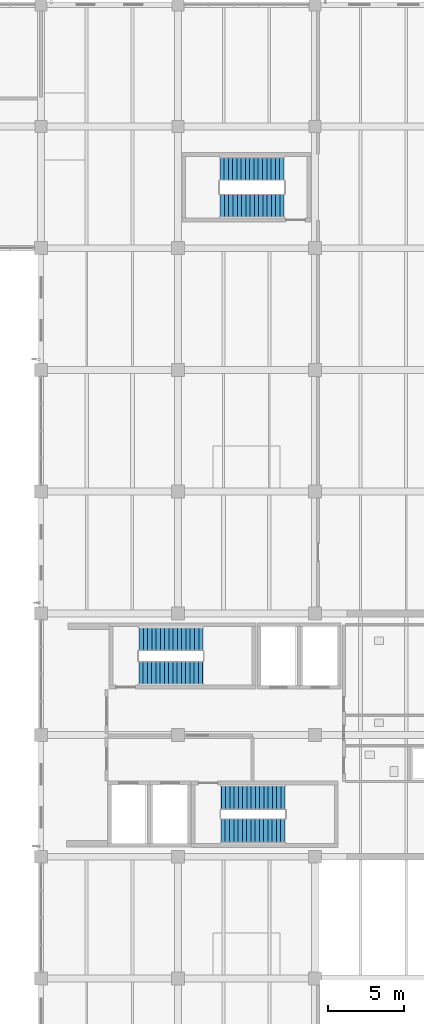
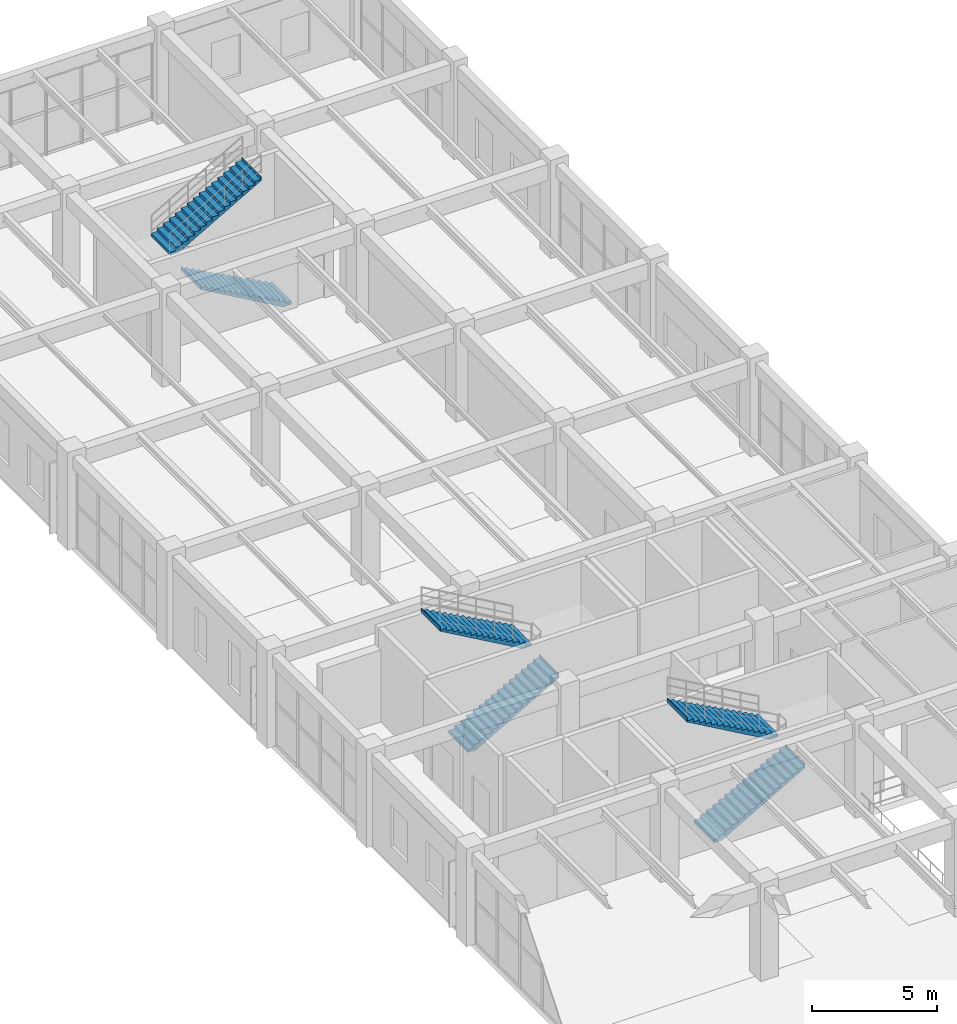
# One storey, part 162 of 178: 6 stair flights, 3 elements without a shape of their own.
"""IFC4 building model written with IfcOpenShell, lengths in metres."""

from ifc_helpers import new_model, si_unit, derived_unit, direction, frame, origin, place, context, subcontext, project, spatial, polyline, outline, extrude, material, type_object, element, aggregate, save


model = new_model("IFC4")

# Units and contexts
model_context = context("Model", 3, precision=1e-05, world=origin(), true_north=direction((0.0, 1.0)))
body_context = subcontext(model_context, "Body", "Model", "MODEL_VIEW")
ifc_project = project(units=[si_unit("LENGTHUNIT", "METRE"), si_unit("AREAUNIT", "SQUARE_METRE"), si_unit("VOLUMEUNIT", "CUBIC_METRE"), si_unit("PLANEANGLEUNIT", "RADIAN"), si_unit("MASSUNIT", "GRAM", prefix="KILO"), derived_unit("THERMALTRANSMITTANCEUNIT", [(si_unit("MASSUNIT", "GRAM", prefix="KILO"), 1), (si_unit("TIMEUNIT", "SECOND"), -3), (si_unit("THERMODYNAMICTEMPERATUREUNIT", "KELVIN"), -1)])], contexts=[model_context])

# Site, building, storey
site_placement = place(None, origin())
site = spatial("IfcSite", under=ifc_project, at=site_placement, CompositionType="ELEMENT")
building_placement = place(site_placement, origin())
building = spatial("IfcBuilding", under=site, at=building_placement, Name="Zhenchuan Archway Interchange", CompositionType="ELEMENT")
storey_placement = place(building_placement, frame((0.0, 0.0, 5.39990234375)))
storey = spatial("IfcBuildingStorey", under=building, at=storey_placement, Name="L01", CompositionType="ELEMENT", Elevation=5.39990234375)

# Stair, stair flights
ifc_material = material(Name="Concrete C35", Category="concrete")
stair_type_1 = type_object("IfcStairType", Name="STR_HALF_1550", PredefinedType="HALF_TURN_STAIR", material=ifc_material)
stair_1_placement = place(storey_placement, origin())
stair_1 = element("IfcStair", 1, at=stair_1_placement, inside=storey, type_object=stair_type_1, Name="Stair ST-O1 (L01)", PredefinedType="HALF_TURN_STAIR")
stair_flight_type_1 = type_object("IfcStairFlightType", Name="SFL_1550", PredefinedType="STRAIGHT", material=ifc_material)
stair_flight_1_placement = place(storey_placement, frame((150.42431640625, 60.090087890625, 0.0), z_axis=(0.0, 0.0, 1.0), x_axis=(1.0, 0.0, 0.0)))
stair_flight_1 = element("IfcStairFlight", 2, at=stair_flight_1_placement, type_object=stair_flight_type_1, Name="Stair ST-O1 lower flight (L01)", NumberOfRisers=16, NumberOfTreads=15, PredefinedType="STRAIGHT", RiserHeight=0.15, TreadLength=0.28, context=body_context, shape_type="SweptSolid", body=[
    extrude(outline(polyline([(0.0, 0.0), (0.0, 0.14990234375), (0.280029296875, 0.14990234375), (0.280029296875, 0.300048828125), (0.56005859375, 0.300048828125), (0.56005859375, 0.449951171875), (0.840087890625, 0.449951171875), (0.840087890625, 0.60009765625), (1.1201171875, 0.60009765625), (1.1201171875, 0.75), (1.39990234375, 0.75), (1.39990234375, 0.89990234375), (1.679931640625, 0.89990234375), (1.679931640625, 1.050048828125), (1.9599609375, 1.050048828125), (1.9599609375, 1.199951171875), (2.239990234375, 1.199951171875), (2.239990234375, 1.35009765625), (2.52001953125, 1.35009765625), (2.52001953125, 1.5), (2.800048828125, 1.5), (2.800048828125, 1.64990234375), (3.080078125, 1.64990234375), (3.080078125, 1.800048828125), (3.360107421875, 1.800048828125), (3.360107421875, 1.949951171875), (3.639892578125, 1.949951171875), (3.639892578125, 2.10009765625), (3.919921875, 2.10009765625), (3.919921875, 2.25), (4.199951171875, 2.25), (4.199951171875, 2.39990234375), (4.22119140625, 2.39990234375), (4.22119140625, 2.19580078125), (0.381103515625, 0.0), (0.0, 0.0)])), frame((0.0, 0.77490234375, 0.0), z_axis=(0.0, -1.0, 0.0), x_axis=(1.0, 0.0, 0.0)), (0.0, 0.0, 1.0), 1.550048828125),
])
stair_flight_2_placement = place(storey_placement, frame((154.6455078125, 62.31005859375, 2.400146484375), z_axis=(0.0, 0.0, 1.0), x_axis=(-1.0, 0.0, 0.0)))
stair_flight_2 = element("IfcStairFlight", 3, at=stair_flight_2_placement, type_object=stair_flight_type_1, Name="Stair ST-O1 upper flight (L01)", NumberOfRisers=16, NumberOfTreads=15, PredefinedType="STRAIGHT", RiserHeight=0.15, TreadLength=0.28, context=body_context, shape_type="SweptSolid", body=[
    extrude(outline(polyline([(0.0, 0.0), (0.0, 0.14990234375), (0.280029296875, 0.14990234375), (0.280029296875, 0.300048828125), (0.56005859375, 0.300048828125), (0.56005859375, 0.449951171875), (0.840087890625, 0.449951171875), (0.840087890625, 0.60009765625), (1.1201171875, 0.60009765625), (1.1201171875, 0.75), (1.39990234375, 0.75), (1.39990234375, 0.89990234375), (1.679931640625, 0.89990234375), (1.679931640625, 1.050048828125), (1.9599609375, 1.050048828125), (1.9599609375, 1.199951171875), (2.239990234375, 1.199951171875), (2.239990234375, 1.35009765625), (2.52001953125, 1.35009765625), (2.52001953125, 1.5), (2.800048828125, 1.5), (2.800048828125, 1.64990234375), (3.080078125, 1.64990234375), (3.080078125, 1.800048828125), (3.360107421875, 1.800048828125), (3.360107421875, 1.949951171875), (3.639892578125, 1.949951171875), (3.639892578125, 2.10009765625), (3.919921875, 2.10009765625), (3.919921875, 2.25), (4.199951171875, 2.25), (4.199951171875, 2.39990234375), (4.22119140625, 2.39990234375), (4.22119140625, 2.19580078125), (0.381103515625, 0.0), (0.0, 0.0)])), frame((0.0, 0.77490234375, 0.0), z_axis=(0.0, -1.0, 0.0), x_axis=(1.0, 0.0, 0.0)), (0.0, 0.0, 1.0), 1.550048828125),
])
aggregate(stair_1, [stair_flight_1, stair_flight_2])

stair_2_placement = place(storey_placement, origin())
stair_2 = element("IfcStair", 4, at=stair_2_placement, inside=storey, type_object=stair_type_1, Name="Stair ST-O3 (L01)", PredefinedType="HALF_TURN_STAIR")
stair_flight_3_placement = place(storey_placement, frame((159.9755859375, 90.7900390625, 0.0), z_axis=(0.0, 0.0, 1.0), x_axis=(-1.0, 0.0, 0.0)))
stair_flight_3 = element("IfcStairFlight", 5, at=stair_flight_3_placement, type_object=stair_flight_type_1, Name="Stair ST-O3 lower flight (L01)", NumberOfRisers=16, NumberOfTreads=15, PredefinedType="STRAIGHT", RiserHeight=0.15, TreadLength=0.28, context=body_context, shape_type="SweptSolid", body=[
    extrude(outline(polyline([(0.0, 0.0), (0.0, 0.14990234375), (0.280029296875, 0.14990234375), (0.280029296875, 0.300048828125), (0.56005859375, 0.300048828125), (0.56005859375, 0.449951171875), (0.840087890625, 0.449951171875), (0.840087890625, 0.60009765625), (1.1201171875, 0.60009765625), (1.1201171875, 0.75), (1.39990234375, 0.75), (1.39990234375, 0.89990234375), (1.679931640625, 0.89990234375), (1.679931640625, 1.050048828125), (1.9599609375, 1.050048828125), (1.9599609375, 1.199951171875), (2.239990234375, 1.199951171875), (2.239990234375, 1.35009765625), (2.52001953125, 1.35009765625), (2.52001953125, 1.5), (2.800048828125, 1.5), (2.800048828125, 1.64990234375), (3.080078125, 1.64990234375), (3.080078125, 1.800048828125), (3.360107421875, 1.800048828125), (3.360107421875, 1.949951171875), (3.639892578125, 1.949951171875), (3.639892578125, 2.10009765625), (3.919921875, 2.10009765625), (3.919921875, 2.25), (4.199951171875, 2.25), (4.199951171875, 2.39990234375), (4.22119140625, 2.39990234375), (4.22119140625, 2.19580078125), (0.381103515625, 0.0), (0.0, 0.0)])), frame((0.0, 0.77490234375, 0.0), z_axis=(0.0, -1.0, 0.0), x_axis=(1.0, 0.0, 0.0)), (0.0, 0.0, 1.0), 1.550048828125),
])
stair_flight_4_placement = place(storey_placement, frame((155.75439453125, 93.2099609375, 2.400146484375), z_axis=(0.0, 0.0, 1.0), x_axis=(1.0, 0.0, 0.0)))
stair_flight_4 = element("IfcStairFlight", 6, at=stair_flight_4_placement, type_object=stair_flight_type_1, Name="Stair ST-O3 upper flight (L01)", NumberOfRisers=16, NumberOfTreads=15, PredefinedType="STRAIGHT", RiserHeight=0.15, TreadLength=0.28, context=body_context, shape_type="SweptSolid", body=[
    extrude(outline(polyline([(0.0, 0.0), (0.0, 0.14990234375), (0.280029296875, 0.14990234375), (0.280029296875, 0.300048828125), (0.56005859375, 0.300048828125), (0.56005859375, 0.449951171875), (0.840087890625, 0.449951171875), (0.840087890625, 0.60009765625), (1.1201171875, 0.60009765625), (1.1201171875, 0.75), (1.39990234375, 0.75), (1.39990234375, 0.89990234375), (1.679931640625, 0.89990234375), (1.679931640625, 1.050048828125), (1.9599609375, 1.050048828125), (1.9599609375, 1.199951171875), (2.239990234375, 1.199951171875), (2.239990234375, 1.35009765625), (2.52001953125, 1.35009765625), (2.52001953125, 1.5), (2.800048828125, 1.5), (2.800048828125, 1.64990234375), (3.080078125, 1.64990234375), (3.080078125, 1.800048828125), (3.360107421875, 1.800048828125), (3.360107421875, 1.949951171875), (3.639892578125, 1.949951171875), (3.639892578125, 2.10009765625), (3.919921875, 2.10009765625), (3.919921875, 2.25), (4.199951171875, 2.25), (4.199951171875, 2.39990234375), (4.22119140625, 2.39990234375), (4.22119140625, 2.19580078125), (0.381103515625, 0.0), (0.0, 0.0)])), frame((0.0, 0.77490234375, 0.0), z_axis=(0.0, -1.0, 0.0), x_axis=(1.0, 0.0, 0.0)), (0.0, 0.0, 1.0), 1.550048828125),
])
aggregate(stair_2, [stair_flight_3, stair_flight_4])

stair_type_2 = type_object("IfcStairType", Name="STR_HALF_1600", PredefinedType="HALF_TURN_STAIR", material=ifc_material)
stair_3_placement = place(storey_placement, origin())
stair_3 = element("IfcStair", 7, at=stair_3_placement, inside=storey, type_object=stair_type_2, Name="Stair ST-O2 (L01)", PredefinedType="HALF_TURN_STAIR")
stair_flight_type_2 = type_object("IfcStairFlightType", Name="SFL_1600", PredefinedType="STRAIGHT", material=ifc_material)
stair_flight_5_placement = place(storey_placement, frame((155.824462890625, 49.715087890625, 0.0), z_axis=(0.0, 0.0, 1.0), x_axis=(1.0, 0.0, 0.0)))
stair_flight_5 = element("IfcStairFlight", 8, at=stair_flight_5_placement, type_object=stair_flight_type_2, Name="Stair ST-O2 lower flight (L01)", NumberOfRisers=16, NumberOfTreads=15, PredefinedType="STRAIGHT", RiserHeight=0.15, TreadLength=0.28, context=body_context, shape_type="SweptSolid", body=[
    extrude(outline(polyline([(0.0, 0.0), (0.0, 0.14990234375), (0.280029296875, 0.14990234375), (0.280029296875, 0.300048828125), (0.56005859375, 0.300048828125), (0.56005859375, 0.449951171875), (0.840087890625, 0.449951171875), (0.840087890625, 0.60009765625), (1.1201171875, 0.60009765625), (1.1201171875, 0.75), (1.39990234375, 0.75), (1.39990234375, 0.89990234375), (1.679931640625, 0.89990234375), (1.679931640625, 1.050048828125), (1.9599609375, 1.050048828125), (1.9599609375, 1.199951171875), (2.239990234375, 1.199951171875), (2.239990234375, 1.35009765625), (2.52001953125, 1.35009765625), (2.52001953125, 1.5), (2.800048828125, 1.5), (2.800048828125, 1.64990234375), (3.080078125, 1.64990234375), (3.080078125, 1.800048828125), (3.360107421875, 1.800048828125), (3.360107421875, 1.949951171875), (3.639892578125, 1.949951171875), (3.639892578125, 2.10009765625), (3.919921875, 2.10009765625), (3.919921875, 2.25), (4.199951171875, 2.25), (4.199951171875, 2.39990234375), (4.22119140625, 2.39990234375), (4.22119140625, 2.19580078125), (0.381103515625, 0.0), (0.0, 0.0)])), frame((0.0, 0.800048828125, 0.0), z_axis=(0.0, -1.0, 0.0), x_axis=(1.0, 0.0, 0.0)), (0.0, 0.0, 1.0), 1.60009765625),
])
stair_flight_6_placement = place(storey_placement, frame((160.045654296875, 51.885009765625, 2.400146484375), z_axis=(0.0, 0.0, 1.0), x_axis=(-1.0, 0.0, 0.0)))
stair_flight_6 = element("IfcStairFlight", 9, at=stair_flight_6_placement, type_object=stair_flight_type_2, Name="Stair ST-O2 upper flight (L01)", NumberOfRisers=16, NumberOfTreads=15, PredefinedType="STRAIGHT", RiserHeight=0.15, TreadLength=0.28, context=body_context, shape_type="SweptSolid", body=[
    extrude(outline(polyline([(0.0, 0.0), (0.0, 0.14990234375), (0.280029296875, 0.14990234375), (0.280029296875, 0.300048828125), (0.56005859375, 0.300048828125), (0.56005859375, 0.449951171875), (0.840087890625, 0.449951171875), (0.840087890625, 0.60009765625), (1.1201171875, 0.60009765625), (1.1201171875, 0.75), (1.39990234375, 0.75), (1.39990234375, 0.89990234375), (1.679931640625, 0.89990234375), (1.679931640625, 1.050048828125), (1.9599609375, 1.050048828125), (1.9599609375, 1.199951171875), (2.239990234375, 1.199951171875), (2.239990234375, 1.35009765625), (2.52001953125, 1.35009765625), (2.52001953125, 1.5), (2.800048828125, 1.5), (2.800048828125, 1.64990234375), (3.080078125, 1.64990234375), (3.080078125, 1.800048828125), (3.360107421875, 1.800048828125), (3.360107421875, 1.949951171875), (3.639892578125, 1.949951171875), (3.639892578125, 2.10009765625), (3.919921875, 2.10009765625), (3.919921875, 2.25), (4.199951171875, 2.25), (4.199951171875, 2.39990234375), (4.22119140625, 2.39990234375), (4.22119140625, 2.19580078125), (0.381103515625, 0.0), (0.0, 0.0)])), frame((0.0, 0.800048828125, 0.0), z_axis=(0.0, -1.0, 0.0), x_axis=(1.0, 0.0, 0.0)), (0.0, 0.0, 1.0), 1.60009765625),
])
aggregate(stair_3, [stair_flight_5, stair_flight_6])

save(model, "model.ifc")
